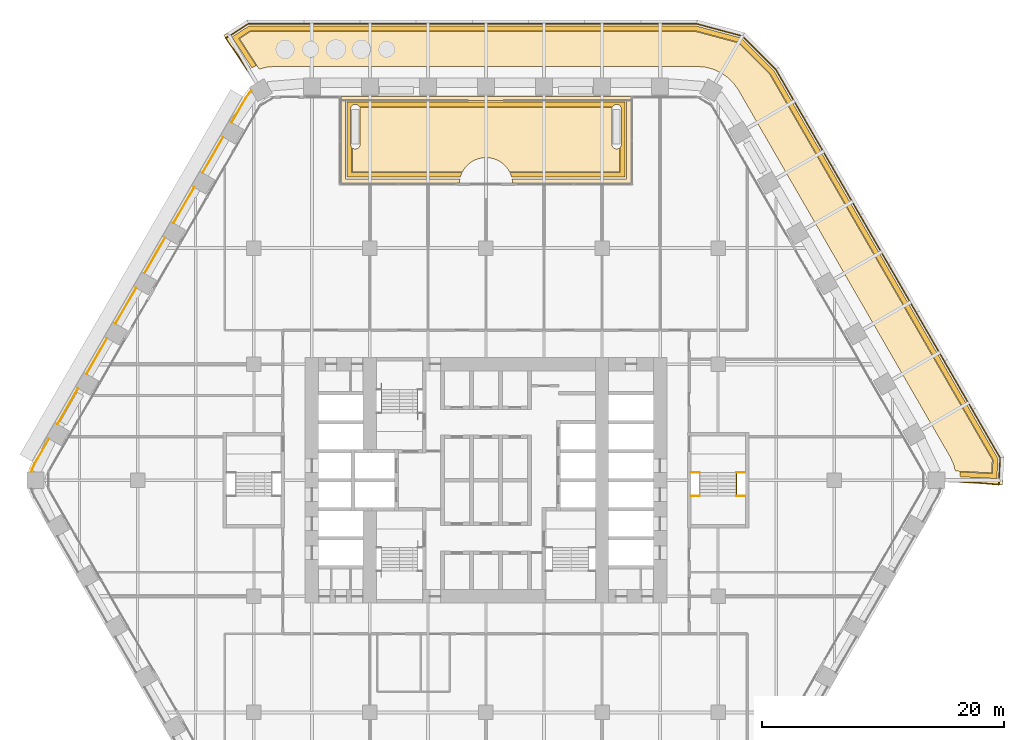
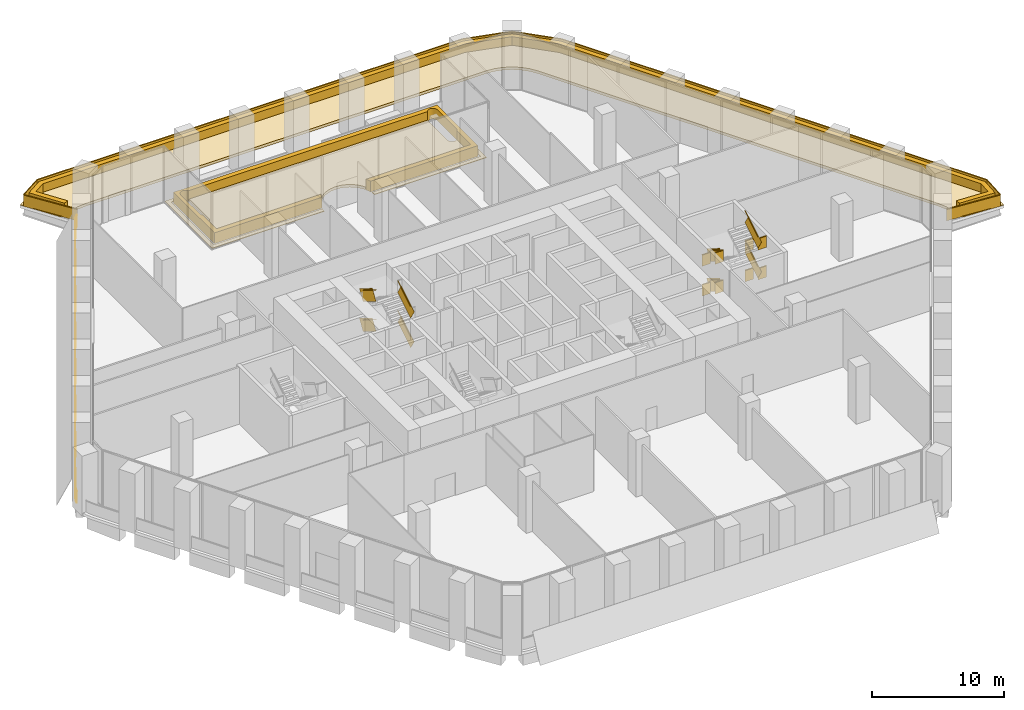
# One storey, part 29 of 30: 6 coverings, 5 railings.
"""IFC4 building model written with IfcOpenShell, lengths in metres."""

from ifc_helpers import new_model, si_unit, direction, frame, frame_2d, origin, origin_2d, place, context, subcontext, project, spatial, polyline, rectangle, outline, extrude, material, layer, layer_set, type_object, element, save


model = new_model("IFC4")

# Units and contexts
model_context = context("Model", 3, precision=1e-05, world=origin(), true_north=direction((0.0, 1.0)))
body_context = subcontext(model_context, "Body", "Model", "MODEL_VIEW")
ifc_project = project(units=[si_unit("LENGTHUNIT", "METRE"), si_unit("AREAUNIT", "SQUARE_METRE"), si_unit("VOLUMEUNIT", "CUBIC_METRE"), si_unit("PLANEANGLEUNIT", "RADIAN"), si_unit("MASSUNIT", "GRAM", prefix="KILO")], contexts=[model_context])

# Site, building, storey
site_placement = place(None, origin())
site = spatial("IfcSite", under=ifc_project, at=site_placement, CompositionType="ELEMENT")
building_placement = place(site_placement, origin())
building = spatial("IfcBuilding", under=site, at=building_placement, Name="Kolab Exchange Tower", CompositionType="ELEMENT")
storey_placement = place(building_placement, frame((0.0, 0.0, 38.89990234375)))
storey = spatial("IfcBuildingStorey", under=building, at=storey_placement, Name="L07", CompositionType="ELEMENT", Elevation=38.89990234375)

# Railings
ifc_material_1 = material(Name="Stainless steel 316", Category="steel")
railing_type_1 = type_object("IfcRailingType", Name="GUARD 1100", PredefinedType="GUARDRAIL", material=ifc_material_1)
railing_1_placement = place(storey_placement, frame((-5.639892578125, 5.550048828125, 0.172119140625)))
element("IfcRailing", 1, at=railing_1_placement, inside=storey, type_object=railing_type_1, Name="Handrail guard ST1", PredefinedType="GUARDRAIL", context=body_context, shape_type="SweptSolid", body=[
    extrude(rectangle(XDim=0.05, YDim=0.05, at=origin_2d()), frame((0.0, 0.0, 1.0751953125), z_axis=(0.0, 0.852288308005, 0.523072308613), x_axis=(-1.0, 0.0, 0.0)), (0.0, 0.0, 1.0), 2.299560546875),
    extrude(rectangle(XDim=0.012, YDim=1.05009765625, at=frame_2d((0.0, 0.525146484375))), frame((0.0, 0.0, 0.0), z_axis=(0.0, 0.852288308005, 0.523072308613), x_axis=(-1.0, 0.0, 0.0)), (0.0, 0.0, 1.0), 2.299560546875),
    extrude(rectangle(XDim=0.05, YDim=0.05, at=origin_2d()), frame((-3.02001953125, 1.9599609375, 2.4501953125), z_axis=(0.0, -0.852288308005, 0.523072308613), x_axis=(1.0, 0.0, 0.0)), (0.0, 0.0, 1.0), 2.299560546875),
    extrude(rectangle(XDim=0.012, YDim=1.05009765625, at=frame_2d((0.0, 0.525146484375))), frame((-3.02001953125, 1.9599609375, 1.375), z_axis=(0.0, -0.852288308005, 0.523072308613), x_axis=(1.0, 0.0, 0.0)), (0.0, 0.0, 1.0), 2.299560546875),
    extrude(rectangle(XDim=0.05, YDim=0.05, at=origin_2d()), frame((0.0, 0.0, 3.8251953125), z_axis=(0.0, 0.852288308005, 0.523072308613), x_axis=(-1.0, 0.0, 0.0)), (0.0, 0.0, 1.0), 2.299560546875),
    extrude(rectangle(XDim=0.012, YDim=1.05009765625, at=frame_2d((0.0, 0.525146484375))), frame((0.0, 0.0, 2.75), z_axis=(0.0, 0.852288308005, 0.523072308613), x_axis=(-1.0, 0.0, 0.0)), (0.0, 0.0, 1.0), 2.299560546875),
    extrude(rectangle(XDim=0.05, YDim=0.05, at=origin_2d()), frame((-3.02001953125, 1.9599609375, 5.2001953125), z_axis=(0.0, -0.852288308005, 0.523072308613), x_axis=(1.0, 0.0, 0.0)), (0.0, 0.0, 1.0), 2.299560546875),
    extrude(rectangle(XDim=0.012, YDim=1.05009765625, at=frame_2d((0.0, 0.525146484375))), frame((-3.02001953125, 1.9599609375, 4.125), z_axis=(0.0, -0.852288308005, 0.523072308613), x_axis=(1.0, 0.0, 0.0)), (0.0, 0.0, 1.0), 2.299560546875),
])
railing_2_placement = place(storey_placement, frame((16.949951171875, 0.64990234375, 0.0)))
element("IfcRailing", 2, at=railing_2_placement, inside=storey, type_object=railing_type_1, Name="Guard ST4", PredefinedType="GUARDRAIL", context=body_context, shape_type="SweptSolid", body=[
    extrude(rectangle(XDim=0.05, YDim=0.05, at=origin_2d()), frame((0.0, 0.0, 1.0751953125), z_axis=(1.0, 0.0, 0.0), x_axis=(0.0, 1.0, 0.0)), (0.0, 0.0, 1.0), 0.739990234375),
    extrude(rectangle(XDim=0.012, YDim=1.05009765625, at=frame_2d((0.0, 0.525146484375))), frame((0.0, 0.0, 0.0), z_axis=(1.0, 0.0, 0.0), x_axis=(0.0, 1.0, 0.0)), (0.0, 0.0, 1.0), 0.739990234375),
    extrude(rectangle(XDim=0.05, YDim=0.05, at=origin_2d()), frame((3.760009765625, 0.0, 1.0751953125), z_axis=(1.0, 0.0, 0.0), x_axis=(0.0, 1.0, 0.0)), (0.0, 0.0, 1.0), 0.739990234375),
    extrude(rectangle(XDim=0.012, YDim=1.05009765625, at=frame_2d((0.0, 0.525146484375))), frame((3.760009765625, 0.0, 0.0), z_axis=(1.0, 0.0, 0.0), x_axis=(0.0, 1.0, 0.0)), (0.0, 0.0, 1.0), 0.739990234375),
    extrude(rectangle(XDim=0.05, YDim=0.05, at=origin_2d()), frame((0.0, -1.9599609375, 2.4501953125), z_axis=(1.0, 0.0, 0.0), x_axis=(0.0, 1.0, 0.0)), (0.0, 0.0, 1.0), 0.739990234375),
    extrude(rectangle(XDim=0.012, YDim=1.05009765625, at=frame_2d((0.0, 0.525146484375))), frame((0.0, -1.9599609375, 1.375), z_axis=(1.0, 0.0, 0.0), x_axis=(0.0, 1.0, 0.0)), (0.0, 0.0, 1.0), 0.739990234375),
    extrude(rectangle(XDim=0.05, YDim=0.05, at=origin_2d()), frame((3.760009765625, -1.9599609375, 2.4501953125), z_axis=(1.0, 0.0, 0.0), x_axis=(0.0, 1.0, 0.0)), (0.0, 0.0, 1.0), 0.739990234375),
    extrude(rectangle(XDim=0.012, YDim=1.05009765625, at=frame_2d((0.0, 0.525146484375))), frame((3.760009765625, -1.9599609375, 1.375), z_axis=(1.0, 0.0, 0.0), x_axis=(0.0, 1.0, 0.0)), (0.0, 0.0, 1.0), 0.739990234375),
    extrude(rectangle(XDim=0.05, YDim=0.05, at=origin_2d()), frame((0.0, 0.0, 3.8251953125), z_axis=(1.0, 0.0, 0.0), x_axis=(0.0, 1.0, 0.0)), (0.0, 0.0, 1.0), 0.739990234375),
    extrude(rectangle(XDim=0.012, YDim=1.05009765625, at=frame_2d((0.0, 0.525146484375))), frame((0.0, 0.0, 2.75), z_axis=(1.0, 0.0, 0.0), x_axis=(0.0, 1.0, 0.0)), (0.0, 0.0, 1.0), 0.739990234375),
    extrude(rectangle(XDim=0.05, YDim=0.05, at=origin_2d()), frame((3.760009765625, 0.0, 3.8251953125), z_axis=(1.0, 0.0, 0.0), x_axis=(0.0, 1.0, 0.0)), (0.0, 0.0, 1.0), 0.739990234375),
    extrude(rectangle(XDim=0.012, YDim=1.05009765625, at=frame_2d((0.0, 0.525146484375))), frame((3.760009765625, 0.0, 2.75), z_axis=(1.0, 0.0, 0.0), x_axis=(0.0, 1.0, 0.0)), (0.0, 0.0, 1.0), 0.739990234375),
    extrude(rectangle(XDim=0.05, YDim=0.05, at=origin_2d()), frame((0.0, -1.9599609375, 5.2001953125), z_axis=(1.0, 0.0, 0.0), x_axis=(0.0, 1.0, 0.0)), (0.0, 0.0, 1.0), 0.739990234375),
    extrude(rectangle(XDim=0.012, YDim=1.05009765625, at=frame_2d((0.0, 0.525146484375))), frame((0.0, -1.9599609375, 4.125), z_axis=(1.0, 0.0, 0.0), x_axis=(0.0, 1.0, 0.0)), (0.0, 0.0, 1.0), 0.739990234375),
    extrude(rectangle(XDim=0.05, YDim=0.05, at=origin_2d()), frame((3.760009765625, -1.9599609375, 5.2001953125), z_axis=(1.0, 0.0, 0.0), x_axis=(0.0, 1.0, 0.0)), (0.0, 0.0, 1.0), 0.739990234375),
    extrude(rectangle(XDim=0.012, YDim=1.05009765625, at=frame_2d((0.0, 0.525146484375))), frame((3.760009765625, -1.9599609375, 4.125), z_axis=(1.0, 0.0, 0.0), x_axis=(0.0, 1.0, 0.0)), (0.0, 0.0, 1.0), 0.739990234375),
])
railing_3_placement = place(storey_placement, frame((17.68994140625, 0.64990234375, 0.172119140625)))
element("IfcRailing", 3, at=railing_3_placement, inside=storey, type_object=railing_type_1, Name="Handrail guard ST4", PredefinedType="GUARDRAIL", context=body_context, shape_type="SweptSolid", body=[
    extrude(rectangle(XDim=0.05, YDim=0.05, at=origin_2d()), frame((0.0, 0.0, 1.0751953125), z_axis=(0.0, -0.852288308005, 0.523072308613), x_axis=(1.0, 0.0, 0.0)), (0.0, 0.0, 1.0), 2.299560546875),
    extrude(rectangle(XDim=0.012, YDim=1.05009765625, at=frame_2d((0.0, 0.525146484375))), frame((0.0, 0.0, 0.0), z_axis=(0.0, -0.852288308005, 0.523072308613), x_axis=(1.0, 0.0, 0.0)), (0.0, 0.0, 1.0), 2.299560546875),
    extrude(rectangle(XDim=0.05, YDim=0.05, at=origin_2d()), frame((3.02001953125, -1.9599609375, 2.4501953125), z_axis=(0.0, 0.852288308005, 0.523072308613), x_axis=(-1.0, 0.0, 0.0)), (0.0, 0.0, 1.0), 2.299560546875),
    extrude(rectangle(XDim=0.012, YDim=1.05009765625, at=frame_2d((0.0, 0.525146484375))), frame((3.02001953125, -1.9599609375, 1.375), z_axis=(0.0, 0.852288308005, 0.523072308613), x_axis=(-1.0, 0.0, 0.0)), (0.0, 0.0, 1.0), 2.299560546875),
    extrude(rectangle(XDim=0.05, YDim=0.05, at=origin_2d()), frame((0.0, 0.0, 3.8251953125), z_axis=(0.0, -0.852288308005, 0.523072308613), x_axis=(1.0, 0.0, 0.0)), (0.0, 0.0, 1.0), 2.299560546875),
    extrude(rectangle(XDim=0.012, YDim=1.05009765625, at=frame_2d((0.0, 0.525146484375))), frame((0.0, 0.0, 2.75), z_axis=(0.0, -0.852288308005, 0.523072308613), x_axis=(1.0, 0.0, 0.0)), (0.0, 0.0, 1.0), 2.299560546875),
    extrude(rectangle(XDim=0.05, YDim=0.05, at=origin_2d()), frame((3.02001953125, -1.9599609375, 5.2001953125), z_axis=(0.0, 0.852288308005, 0.523072308613), x_axis=(-1.0, 0.0, 0.0)), (0.0, 0.0, 1.0), 2.299560546875),
    extrude(rectangle(XDim=0.012, YDim=1.05009765625, at=frame_2d((0.0, 0.525146484375))), frame((3.02001953125, -1.9599609375, 4.125), z_axis=(0.0, 0.852288308005, 0.523072308613), x_axis=(-1.0, 0.0, 0.0)), (0.0, 0.0, 1.0), 2.299560546875),
])
ifc_material_2 = material(Name="Steel S235", Category="steel")
railing_type_2 = type_object("IfcRailingType", Name="GUARD 1100 GLASS BALUSTRADE AND STEEL TOP RAIL", PredefinedType="GUARDRAIL", material=ifc_material_2)
railing_4_placement = place(storey_placement, frame((-19.3916015625, 32.2060546875, 0.0)))
element("IfcRailing", 4, at=railing_4_placement, inside=storey, type_object=railing_type_2, Name="Guard", PredefinedType="GUARDRAIL", context=body_context, shape_type="SweptSolid", body=[
    extrude(rectangle(XDim=0.05, YDim=0.05, at=origin_2d()), frame((0.0, 0.0, 1.0751953125), z_axis=(-0.706634904947, -0.707578342737, 0.0), x_axis=(0.707578342737, -0.706634904947, 0.0)), (0.0, 0.0, 1.0), 0.2587890625),
    extrude(rectangle(XDim=0.012, YDim=1.05009765625, at=frame_2d((0.0, 0.525146484375))), frame((0.0, 0.0, 0.0), z_axis=(-0.706634904947, -0.707578342737, 0.0), x_axis=(0.707578342737, -0.706634904947, 0.0)), (0.0, 0.0, 1.0), 0.2587890625),
    extrude(rectangle(XDim=0.05, YDim=0.05, at=origin_2d()), frame((-0.182861328125, -0.18310546875, 1.0751953125), z_axis=(-0.573940749815, -0.818896828485, 0.0), x_axis=(0.818896828485, -0.573940749815, 0.0)), (0.0, 0.0, 1.0), 0.4794921875),
    extrude(rectangle(XDim=0.012, YDim=1.05009765625, at=frame_2d((0.0, 0.525146484375))), frame((-0.182861328125, -0.18310546875, 0.0), z_axis=(-0.573940749815, -0.818896828485, 0.0), x_axis=(0.818896828485, -0.573940749815, 0.0)), (0.0, 0.0, 1.0), 0.4794921875),
    extrude(rectangle(XDim=0.05, YDim=0.05, at=origin_2d()), frame((-0.4580078125, -0.57568359375, 1.0751953125), z_axis=(-0.499942602326, -0.866058539811, 0.0), x_axis=(0.866058539811, -0.499942602326, 0.0)), (0.0, 0.0, 1.0), 2.367919921875),
    extrude(rectangle(XDim=0.012, YDim=1.05009765625, at=frame_2d((0.0, 0.525146484375))), frame((-0.4580078125, -0.57568359375, 0.0), z_axis=(-0.499942602326, -0.866058539811, 0.0), x_axis=(0.866058539811, -0.499942602326, 0.0)), (0.0, 0.0, 1.0), 2.367919921875),
    extrude(rectangle(XDim=0.05, YDim=0.05, at=origin_2d()), frame((-2.341796875, -3.8388671875, 1.0751953125), z_axis=(-0.500062241894, -0.865989465428, 0.0), x_axis=(0.865989465428, -0.500062241894, 0.0)), (0.0, 0.0, 1.0), 3.39990234375),
    extrude(rectangle(XDim=0.012, YDim=1.05009765625, at=frame_2d((0.0, 0.525146484375))), frame((-2.341796875, -3.8388671875, 0.0), z_axis=(-0.500062241894, -0.865989465428, 0.0), x_axis=(0.865989465428, -0.500062241894, 0.0)), (0.0, 0.0, 1.0), 3.39990234375),
    extrude(rectangle(XDim=0.05, YDim=0.05, at=origin_2d()), frame((-4.741943359375, -7.995849609375, 1.0751953125), z_axis=(-0.500008388397, -0.866020560687, 0.0), x_axis=(0.866020560687, -0.500008388397, 0.0)), (0.0, 0.0, 1.0), 3.39990234375),
    extrude(rectangle(XDim=0.012, YDim=1.05009765625, at=frame_2d((0.0, 0.525146484375))), frame((-4.741943359375, -7.995849609375, 0.0), z_axis=(-0.500008388397, -0.866020560687, 0.0), x_axis=(0.866020560687, -0.500008388397, 0.0)), (0.0, 0.0, 1.0), 3.39990234375),
    extrude(rectangle(XDim=0.05, YDim=0.05, at=origin_2d()), frame((-7.141845703125, -12.152587890625, 1.0751953125), z_axis=(-0.499977295307, -0.866038511948, 0.0), x_axis=(0.866038511948, -0.499977295307, 0.0)), (0.0, 0.0, 1.0), 3.400146484375),
    extrude(rectangle(XDim=0.012, YDim=1.05009765625, at=frame_2d((0.0, 0.525146484375))), frame((-7.141845703125, -12.152587890625, 0.0), z_axis=(-0.499977295307, -0.866038511948, 0.0), x_axis=(0.866038511948, -0.499977295307, 0.0)), (0.0, 0.0, 1.0), 3.400146484375),
    extrude(rectangle(XDim=0.05, YDim=0.05, at=origin_2d()), frame((-9.5419921875, -16.3095703125, 1.0751953125), z_axis=(-0.499977295307, -0.866038511948, 0.0), x_axis=(0.866038511948, -0.499977295307, 0.0)), (0.0, 0.0, 1.0), 3.400146484375),
    extrude(rectangle(XDim=0.012, YDim=1.05009765625, at=frame_2d((0.0, 0.525146484375))), frame((-9.5419921875, -16.3095703125, 0.0), z_axis=(-0.499977295307, -0.866038511948, 0.0), x_axis=(0.866038511948, -0.499977295307, 0.0)), (0.0, 0.0, 1.0), 3.400146484375),
    extrude(rectangle(XDim=0.05, YDim=0.05, at=origin_2d()), frame((-11.94189453125, -20.466552734375, 1.0751953125), z_axis=(-0.500008388397, -0.866020560687, 0.0), x_axis=(0.866020560687, -0.500008388397, 0.0)), (0.0, 0.0, 1.0), 3.39990234375),
    extrude(rectangle(XDim=0.012, YDim=1.05009765625, at=frame_2d((0.0, 0.525146484375))), frame((-11.94189453125, -20.466552734375, 0.0), z_axis=(-0.500008388397, -0.866020560687, 0.0), x_axis=(0.866020560687, -0.500008388397, 0.0)), (0.0, 0.0, 1.0), 3.39990234375),
    extrude(rectangle(XDim=0.05, YDim=0.05, at=origin_2d()), frame((-14.341796875, -24.62353515625, 1.0751953125), z_axis=(-0.500062241894, -0.865989465428, 0.0), x_axis=(0.865989465428, -0.500062241894, 0.0)), (0.0, 0.0, 1.0), 3.39990234375),
    extrude(rectangle(XDim=0.012, YDim=1.05009765625, at=frame_2d((0.0, 0.525146484375))), frame((-14.341796875, -24.62353515625, 0.0), z_axis=(-0.500062241894, -0.865989465428, 0.0), x_axis=(0.865989465428, -0.500062241894, 0.0)), (0.0, 0.0, 1.0), 3.39990234375),
    extrude(rectangle(XDim=0.05, YDim=0.05, at=origin_2d()), frame((-16.741943359375, -28.7802734375, 1.0751953125), z_axis=(-0.499942602326, -0.866058539811, 0.0), x_axis=(0.866058539811, -0.499942602326, 0.0)), (0.0, 0.0, 1.0), 2.367919921875),
    extrude(rectangle(XDim=0.012, YDim=1.05009765625, at=frame_2d((0.0, 0.525146484375))), frame((-16.741943359375, -28.7802734375, 0.0), z_axis=(-0.499942602326, -0.866058539811, 0.0), x_axis=(0.866058539811, -0.499942602326, 0.0)), (0.0, 0.0, 1.0), 2.367919921875),
    extrude(rectangle(XDim=0.05, YDim=0.05, at=origin_2d()), frame((-17.92578125, -30.8310546875, 1.0751953125), z_axis=(-0.422801802984, -0.906222177721, 0.0), x_axis=(0.906222177721, -0.422801802984, 0.0)), (0.0, 0.0, 1.0), 0.479248046875),
    extrude(rectangle(XDim=0.012, YDim=1.05009765625, at=frame_2d((0.0, 0.525146484375))), frame((-17.92578125, -30.8310546875, 0.0), z_axis=(-0.422801802984, -0.906222177721, 0.0), x_axis=(0.906222177721, -0.422801802984, 0.0)), (0.0, 0.0, 1.0), 0.479248046875),
    extrude(rectangle(XDim=0.05, YDim=0.05, at=origin_2d()), frame((-18.12841796875, -31.265380859375, 1.0751953125), z_axis=(-0.258484584798, -0.966015382601, 0.0), x_axis=(0.966015382601, -0.258484584798, 0.0)), (0.0, 0.0, 1.0), 0.2587890625),
    extrude(rectangle(XDim=0.012, YDim=1.05009765625, at=frame_2d((0.0, 0.525146484375))), frame((-18.12841796875, -31.265380859375, 0.0), z_axis=(-0.258484584798, -0.966015382601, 0.0), x_axis=(0.966015382601, -0.258484584798, 0.0)), (0.0, 0.0, 1.0), 0.2587890625),
])
railing_5_placement = place(storey_placement, frame((-18.968017578125, 32.853515625, 0.0)))
element("IfcRailing", 5, at=railing_5_placement, inside=storey, type_object=railing_type_2, Name="Terrace guard", PredefinedType="GUARDRAIL", context=body_context, shape_type="SweptSolid", body=[
    extrude(rectangle(XDim=0.05, YDim=0.05, at=origin_2d()), frame((0.0, 0.0, 1.0751953125), z_axis=(-0.570350022572, 0.821401760256, 0.0), x_axis=(-0.821401760256, -0.570350022572, 0.0)), (0.0, 0.0, 1.0), 4.496826171875),
    extrude(rectangle(XDim=0.012, YDim=1.05009765625, at=frame_2d((0.0, 0.525146484375))), frame((0.0, 0.0, 0.0), z_axis=(-0.570350022572, 0.821401760256, 0.0), x_axis=(-0.821401760256, -0.570350022572, 0.0)), (0.0, 0.0, 1.0), 4.496826171875),
    extrude(rectangle(XDim=0.05, YDim=0.05, at=origin_2d()), frame((-2.564697265625, 3.693603515625, 1.0751953125), z_axis=(0.839943581843, 0.542673731924, 0.0), x_axis=(-0.542673731924, 0.839943581843, 0.0)), (0.0, 0.0, 1.0), 2.2265625),
    extrude(rectangle(XDim=0.012, YDim=1.05009765625, at=frame_2d((0.0, 0.525146484375))), frame((-2.564697265625, 3.693603515625, 0.0), z_axis=(0.839943581843, 0.542673731924, 0.0), x_axis=(-0.542673731924, 0.839943581843, 0.0)), (0.0, 0.0, 1.0), 2.2265625),
    extrude(rectangle(XDim=0.05, YDim=0.05, at=origin_2d()), frame((-0.694580078125, 4.90185546875, 1.0751953125), z_axis=(1.0, 0.0, 0.0), x_axis=(0.0, 1.0, 0.0)), (0.0, 0.0, 1.0), 37.091064453125),
    extrude(rectangle(XDim=0.012, YDim=1.05009765625, at=frame_2d((0.0, 0.525146484375))), frame((-0.694580078125, 4.90185546875, 0.0), z_axis=(1.0, 0.0, 0.0), x_axis=(0.0, 1.0, 0.0)), (0.0, 0.0, 1.0), 37.091064453125),
    extrude(rectangle(XDim=0.05, YDim=0.05, at=origin_2d()), frame((36.396484375, 4.90185546875, 1.0751953125), z_axis=(0.965929136584, -0.258806690596, 0.0), x_axis=(0.258806690596, 0.965929136584, 0.0)), (0.0, 0.0, 1.0), 3.917724609375),
    extrude(rectangle(XDim=0.012, YDim=1.05009765625, at=frame_2d((0.0, 0.525146484375))), frame((36.396484375, 4.90185546875, 0.0), z_axis=(0.965929136584, -0.258806690596, 0.0), x_axis=(0.258806690596, 0.965929136584, 0.0)), (0.0, 0.0, 1.0), 3.917724609375),
    extrude(rectangle(XDim=0.05, YDim=0.05, at=origin_2d()), frame((40.1806640625, 3.887939453125, 1.0751953125), z_axis=(0.707106781187, -0.707106781187, 0.0), x_axis=(0.707106781187, 0.707106781187, 0.0)), (0.0, 0.0, 1.0), 3.917724609375),
    extrude(rectangle(XDim=0.012, YDim=1.05009765625, at=frame_2d((0.0, 0.525146484375))), frame((40.1806640625, 3.887939453125, 0.0), z_axis=(0.707106781187, -0.707106781187, 0.0), x_axis=(0.707106781187, 0.707106781187, 0.0)), (0.0, 0.0, 1.0), 3.917724609375),
    extrude(rectangle(XDim=0.05, YDim=0.05, at=origin_2d()), frame((42.950927734375, 1.11767578125, 1.0751953125), z_axis=(0.50000221029, -0.866024127669, 0.0), x_axis=(0.866024127669, 0.50000221029, 0.0)), (0.0, 0.0, 1.0), 37.091064453125),
    extrude(rectangle(XDim=0.012, YDim=1.05009765625, at=frame_2d((0.0, 0.525146484375))), frame((42.950927734375, 1.11767578125, 0.0), z_axis=(0.50000221029, -0.866024127669, 0.0), x_axis=(0.866024127669, 0.50000221029, 0.0)), (0.0, 0.0, 1.0), 37.091064453125),
    extrude(rectangle(XDim=0.05, YDim=0.05, at=origin_2d()), frame((61.49658203125, -31.004150390625, 1.0751953125), z_axis=(-0.050003246507, -0.998749055238, 0.0), x_axis=(0.998749055238, -0.050003246507, 0.0)), (0.0, 0.0, 1.0), 2.226318359375),
    extrude(rectangle(XDim=0.012, YDim=1.05009765625, at=frame_2d((0.0, 0.525146484375))), frame((61.49658203125, -31.004150390625, 0.0), z_axis=(-0.050003246507, -0.998749055238, 0.0), x_axis=(0.998749055238, -0.050003246507, 0.0)), (0.0, 0.0, 1.0), 2.226318359375),
    extrude(rectangle(XDim=0.05, YDim=0.05, at=origin_2d()), frame((61.38525390625, -33.227783203125, 1.0751953125), z_axis=(-0.996530765736, 0.083225194153, 0.0), x_axis=(-0.083225194153, -0.996530765736, 0.0)), (0.0, 0.0, 1.0), 4.4970703125),
    extrude(rectangle(XDim=0.012, YDim=1.05009765625, at=frame_2d((0.0, 0.525146484375))), frame((61.38525390625, -33.227783203125, 0.0), z_axis=(-0.996530765736, 0.083225194153, 0.0), x_axis=(-0.083225194153, -0.996530765736, 0.0)), (0.0, 0.0, 1.0), 4.4970703125),
])

# Coverings
ifc_material_3 = material(Name="Planting soil and turf", Category="soil")
ifc_layer_1 = layer(ifc_material_3, 0.25)
ifc_layer_set_1 = layer_set([ifc_layer_1], Name="Planting soil and turf")
covering_type_1 = type_object("IfcCoveringType", Name="PLANTING SOIL AND TURF 250", PredefinedType="USERDEFINED", material=ifc_layer_set_1)
covering_1_placement = place(storey_placement, origin())
element("IfcCovering", 6, at=covering_1_placement, inside=storey, type_object=covering_type_1, Name="Planting soil and turf", ObjectType="PLANTING", PredefinedType="USERDEFINED", context=body_context, shape_type="SweptSolid", body=[
    extrude(outline(polyline([(-11.050048828125, 27.4833984375), (-11.022216796875, 27.462890625), (-10.988525390625, 27.442626953125), (-10.953125, 27.42578125), (-10.916015625, 27.41259765625), (-10.8779296875, 27.403076171875), (-10.839111328125, 27.397216796875), (-10.800048828125, 27.395263671875), (-10.7607421875, 27.397216796875), (-10.721923828125, 27.403076171875), (-10.683837890625, 27.41259765625), (-10.64697265625, 27.42578125), (-10.611328125, 27.442626953125), (-10.577880859375, 27.462890625), (-10.546142578125, 27.486083984375), (-10.51708984375, 27.512451171875), (-10.49072265625, 27.54150390625), (-10.467529296875, 27.5732421875), (-10.447265625, 27.60693359375), (-10.430419921875, 27.642333984375), (-10.417236328125, 27.67919921875), (-10.40771484375, 27.71728515625), (-10.40185546875, 27.756103515625), (-10.39990234375, 27.79541015625), (-10.39990234375, 30.67529296875), (-10.40185546875, 30.714599609375), (-10.40771484375, 30.75341796875), (-10.417236328125, 30.79150390625), (-10.422119140625, 30.805419921875), (10.422119140625, 30.805419921875), (10.417236328125, 30.79150390625), (10.40771484375, 30.75341796875), (10.40185546875, 30.714599609375), (10.39990234375, 30.67529296875), (10.39990234375, 27.79541015625), (10.40185546875, 27.756103515625), (10.40771484375, 27.71728515625), (10.417236328125, 27.67919921875), (10.430419921875, 27.642333984375), (10.447265625, 27.60693359375), (10.467529296875, 27.5732421875), (10.49072265625, 27.54150390625), (10.51708984375, 27.512451171875), (10.546142578125, 27.486083984375), (10.577880859375, 27.462890625), (10.611328125, 27.442626953125), (10.64697265625, 27.42578125), (10.683837890625, 27.41259765625), (10.721923828125, 27.403076171875), (10.7607421875, 27.397216796875), (10.800048828125, 27.395263671875), (10.839111328125, 27.397216796875), (10.8779296875, 27.403076171875), (10.916015625, 27.41259765625), (10.953125, 27.42578125), (10.988525390625, 27.442626953125), (11.022216796875, 27.462890625), (11.050048828125, 27.4833984375), (11.050048828125, 25.50537109375), (1.943603515625, 25.50537109375), (1.940185546875, 25.512451171875), (1.829345703125, 25.697509765625), (1.70068359375, 25.87109375), (1.5556640625, 26.031005859375), (1.395751953125, 26.176025390625), (1.22216796875, 26.3046875), (1.037109375, 26.41552734375), (0.841796875, 26.5078125), (0.638671875, 26.58056640625), (0.42919921875, 26.633056640625), (0.215576171875, 26.664794921875), (0.0, 26.67529296875), (-0.215576171875, 26.664794921875), (-0.42919921875, 26.633056640625), (-0.638671875, 26.58056640625), (-0.841796875, 26.5078125), (-1.037109375, 26.41552734375), (-1.22216796875, 26.3046875), (-1.395751953125, 26.176025390625), (-1.5556640625, 26.031005859375), (-1.70068359375, 25.87109375), (-1.829345703125, 25.697509765625), (-1.940185546875, 25.512451171875), (-1.943603515625, 25.50537109375), (-11.050048828125, 25.50537109375), (-11.050048828125, 27.4833984375)])), origin(), (0.0, 0.0, 1.0), 0.25),
])
covering_2_placement = place(storey_placement, origin())
element("IfcCovering", 7, at=covering_2_placement, inside=storey, type_object=covering_type_1, Name="Planting soil and turf", ObjectType="PLANTING", PredefinedType="USERDEFINED", context=body_context, shape_type="SweptSolid", body=[
    extrude(outline(polyline([(-20.382080078125, 36.516845703125), (-19.470947265625, 37.10546875), (17.3427734375, 37.10546875), (20.876220703125, 36.15869140625), (23.462646484375, 33.572021484375), (41.86962890625, 1.6904296875), (41.8154296875, 0.60693359375), (38.810546875, 0.75732421875), (38.651123046875, 1.352294921875), (38.37744140625, 1.939208984375), (20.867919921875, 32.266357421875), (20.49658203125, 32.796630859375), (20.00927734375, 33.283935546875), (19.44482421875, 33.679443359375), (18.820068359375, 33.970703125), (18.154541015625, 34.14892578125), (17.50927734375, 34.205322265625), (-17.50927734375, 34.205322265625), (-18.154541015625, 34.14892578125), (-18.749267578125, 33.989501953125), (-20.382080078125, 36.516845703125)])), origin(), (0.0, 0.0, 1.0), 0.25),
])
ifc_material_4 = material(Name="Limestone coping", Category="masonry")
ifc_layer_2 = layer(ifc_material_4, 0.050048828125)
ifc_layer_set_2 = layer_set([ifc_layer_2], Name="Limestone coping")
covering_type_2 = type_object("IfcCoveringType", Name="TERRACE EDGE BAND LIMESTONE 50", PredefinedType="CLADDING", material=ifc_layer_set_2)
covering_3_placement = place(storey_placement, origin())
element("IfcCovering", 8, at=covering_3_placement, inside=storey, type_object=covering_type_2, Name="Terrace edge band", PredefinedType="CLADDING", context=body_context, shape_type="SweptSolid", body=[
    extrude(outline(polyline([(11.97998046875, 31.7353515625), (11.97998046875, 24.575439453125), (2.195068359375, 24.575439453125), (2.189453125, 24.69091796875), (2.15771484375, 24.904541015625), (2.152587890625, 24.92529296875), (11.6298828125, 24.92529296875), (11.6298828125, 31.385498046875), (-11.6298828125, 31.385498046875), (-11.6298828125, 24.92529296875), (-2.152587890625, 24.92529296875), (-2.15771484375, 24.904541015625), (-2.189453125, 24.69091796875), (-2.195068359375, 24.575439453125), (-11.97998046875, 24.575439453125), (-11.97998046875, 31.7353515625), (11.97998046875, 31.7353515625)])), origin(), (0.0, 0.0, 1.0), 0.050048828125),
])
covering_4_placement = place(storey_placement, origin())
element("IfcCovering", 9, at=covering_4_placement, inside=storey, type_object=covering_type_2, Name="Terrace edge band", PredefinedType="CLADDING", context=body_context, shape_type="SweptSolid", body=[
    extrude(outline(polyline([(-19.7451171875, 38.035400390625), (17.46533203125, 38.035400390625), (21.357666015625, 36.992431640625), (24.206787109375, 34.14306640625), (42.812255859375, 1.917724609375), (42.69775390625, -0.368408203125), (39.223876953125, -0.194580078125), (39.23095703125, -0.11328125), (39.23583984375, 0.0), (39.23095703125, 0.11328125), (39.227294921875, 0.15576171875), (42.36572265625, -0.001220703125), (42.45751953125, 1.832275390625), (23.9267578125, 33.92822265625), (21.17626953125, 36.6787109375), (17.419189453125, 37.685302734375), (-19.64208984375, 37.685302734375), (-21.183837890625, 36.689208984375), (-19.478759765625, 34.049560546875), (-19.517333984375, 34.03173828125), (-19.617919921875, 33.979248046875), (-19.713623046875, 33.91845703125), (-19.7802734375, 33.87158203125), (-21.66796875, 36.793212890625), (-19.7451171875, 38.035400390625)])), origin(), (0.0, 0.0, 1.0), 0.050048828125),
])
ifc_material_5 = material(Name="Terrace hedge planting", Category="soil")
ifc_layer_3 = layer(ifc_material_5, 1.0)
ifc_layer_set_3 = layer_set([ifc_layer_3], Name="Terrace hedge planting")
covering_type_3 = type_object("IfcCoveringType", Name="TERRACE HEDGE 1000 X 400", PredefinedType="USERDEFINED", material=ifc_layer_set_3)
covering_5_placement = place(storey_placement, origin())
element("IfcCovering", 10, at=covering_5_placement, inside=storey, type_object=covering_type_3, Name="Terrace hedge", ObjectType="PLANTING", PredefinedType="USERDEFINED", context=body_context, shape_type="SweptSolid", body=[
    extrude(outline(polyline([(11.5, 31.25537109375), (11.5, 25.055419921875), (2.119873046875, 25.055419921875), (2.105224609375, 25.114013671875), (2.032470703125, 25.3173828125), (1.96728515625, 25.455322265625), (11.10009765625, 25.455322265625), (11.10009765625, 27.531494140625), (11.109130859375, 27.54150390625), (11.132568359375, 27.5732421875), (11.15283203125, 27.60693359375), (11.16943359375, 27.642333984375), (11.182861328125, 27.67919921875), (11.1923828125, 27.71728515625), (11.197998046875, 27.756103515625), (11.199951171875, 27.79541015625), (11.199951171875, 30.67529296875), (11.197998046875, 30.714599609375), (11.1923828125, 30.75341796875), (11.182861328125, 30.79150390625), (11.16943359375, 30.828369140625), (11.15283203125, 30.864013671875), (11.132568359375, 30.897705078125), (11.109130859375, 30.92919921875), (11.082763671875, 30.958251953125), (11.0537109375, 30.984619140625), (11.022216796875, 31.008056640625), (10.988525390625, 31.028076171875), (10.953125, 31.044921875), (10.916015625, 31.05810546875), (10.8779296875, 31.067626953125), (10.839111328125, 31.073486328125), (10.800048828125, 31.075439453125), (10.7607421875, 31.073486328125), (10.721923828125, 31.067626953125), (10.683837890625, 31.05810546875), (10.64697265625, 31.044921875), (10.611328125, 31.028076171875), (10.577880859375, 31.008056640625), (10.546142578125, 30.984619140625), (10.51708984375, 30.958251953125), (10.49072265625, 30.92919921875), (10.467529296875, 30.897705078125), (10.447265625, 30.864013671875), (10.443115234375, 30.85546875), (-10.443115234375, 30.85546875), (-10.447265625, 30.864013671875), (-10.467529296875, 30.897705078125), (-10.49072265625, 30.92919921875), (-10.51708984375, 30.958251953125), (-10.546142578125, 30.984619140625), (-10.577880859375, 31.008056640625), (-10.611328125, 31.028076171875), (-10.64697265625, 31.044921875), (-10.683837890625, 31.05810546875), (-10.721923828125, 31.067626953125), (-10.7607421875, 31.073486328125), (-10.800048828125, 31.075439453125), (-10.839111328125, 31.073486328125), (-10.8779296875, 31.067626953125), (-10.916015625, 31.05810546875), (-10.953125, 31.044921875), (-10.988525390625, 31.028076171875), (-11.022216796875, 31.008056640625), (-11.0537109375, 30.984619140625), (-11.082763671875, 30.958251953125), (-11.109130859375, 30.92919921875), (-11.132568359375, 30.897705078125), (-11.15283203125, 30.864013671875), (-11.16943359375, 30.828369140625), (-11.182861328125, 30.79150390625), (-11.1923828125, 30.75341796875), (-11.197998046875, 30.714599609375), (-11.199951171875, 30.67529296875), (-11.199951171875, 27.79541015625), (-11.197998046875, 27.756103515625), (-11.1923828125, 27.71728515625), (-11.182861328125, 27.67919921875), (-11.16943359375, 27.642333984375), (-11.15283203125, 27.60693359375), (-11.132568359375, 27.5732421875), (-11.109130859375, 27.54150390625), (-11.10009765625, 27.531494140625), (-11.10009765625, 25.455322265625), (-1.96728515625, 25.455322265625), (-2.032470703125, 25.3173828125), (-2.105224609375, 25.114013671875), (-2.119873046875, 25.055419921875), (-11.5, 25.055419921875), (-11.5, 31.25537109375), (11.5, 31.25537109375)])), origin(), (0.0, 0.0, 1.0), 1.0),
])
covering_6_placement = place(storey_placement, origin())
element("IfcCovering", 11, at=covering_6_placement, inside=storey, type_object=covering_type_3, Name="Terrace hedge", ObjectType="PLANTING", PredefinedType="USERDEFINED", context=body_context, shape_type="SweptSolid", body=[
    extrude(outline(polyline([(-19.603515625, 37.555419921875), (17.402099609375, 37.555419921875), (21.109130859375, 36.56201171875), (23.82275390625, 33.848388671875), (42.32568359375, 1.80029296875), (42.242431640625, 0.135009765625), (39.2158203125, 0.28662109375), (39.185302734375, 0.63427734375), (39.17822265625, 0.68896484375), (41.86279296875, 0.554443359375), (41.92041015625, 1.70263671875), (23.502685546875, 33.602783203125), (20.902099609375, 36.203369140625), (17.349365234375, 37.155517578125), (-19.485595703125, 37.155517578125), (-20.451171875, 36.53173828125), (-18.992431640625, 34.273681640625), (-19.04345703125, 34.252685546875), (-19.35986328125, 34.105224609375), (-21.004150390625, 36.650634765625), (-19.603515625, 37.555419921875)])), origin(), (0.0, 0.0, 1.0), 1.0),
])

save(model, "model.ifc")
